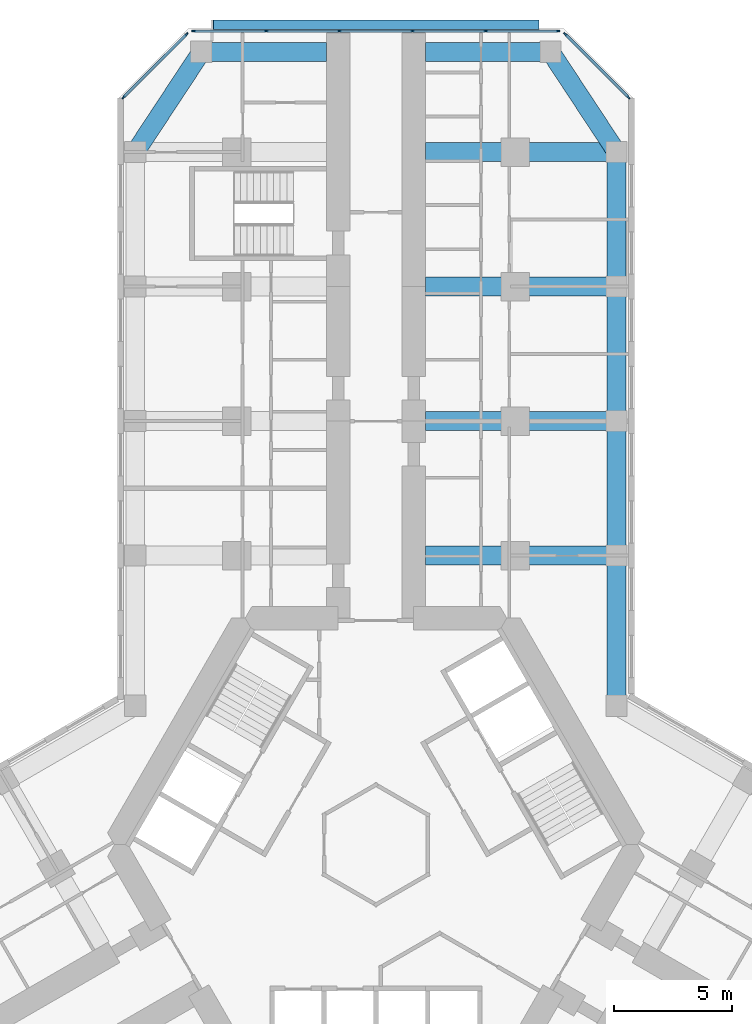
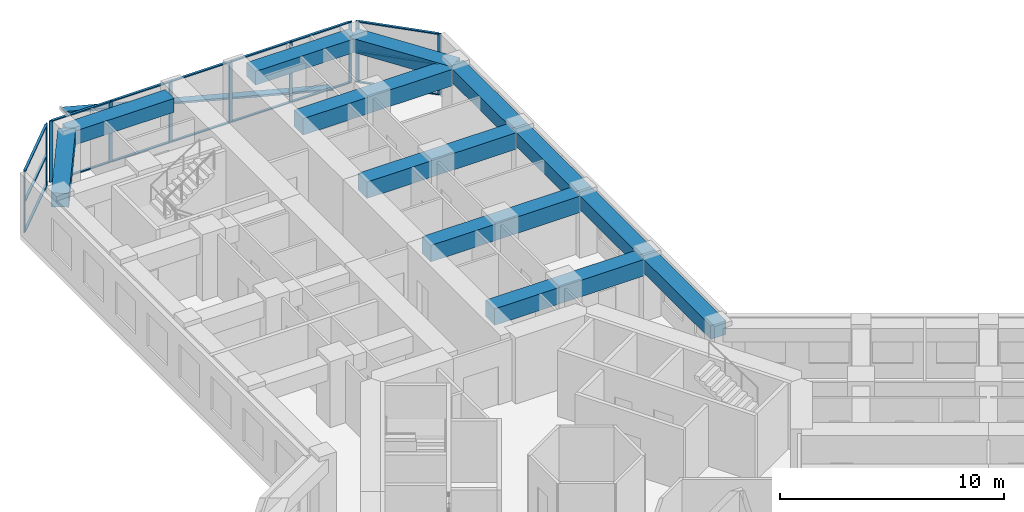
# One storey, part 7 of 21: 27 members, 12 beams, 3 elements without a shape of their own.
"""IFC4 building model written with IfcOpenShell, lengths in metres."""

import ifcopenshell
import ifcopenshell.guid

model = None  # the IFC model being written
_history = None  # IfcOwnerHistory: only IFC2X3 demands one
_inside = {}  # id of a spatial element -> (the spatial element, [elements in it])
_under = {}  # id of a project, library or spatial element -> (it, [spatial elements below it])
_declared = {}  # id of a project -> (the project, [libraries it declares])
_typed = {}  # id of a type object -> (the type object, [elements of that type])
_made_of = {}  # id of a material, layer set ... -> (it, [elements and type objects made of it])


def new_model(schema):
    """Start an empty IFC model of exactly this schema.

    Asked for "IFC4X3", IfcOpenShell would pick the latest addendum, in which some entities
    have other attributes; the version numbers below select the first issue.
    IFC2X3 requires an IfcOwnerHistory on every rooted entity: one is made here for all.
    """
    global model, _history
    if schema == "IFC4X3":
        model = ifcopenshell.file(schema_version=(4, 3, 0, 0))
    else:
        model = ifcopenshell.file(schema=schema)
    _inside.clear()
    _under.clear()
    _declared.clear()
    _typed.clear()
    _made_of.clear()
    _history = None
    if model.schema == "IFC2X3":
        org = make("IfcOrganization", Name="unknown")
        user = make(
            "IfcPersonAndOrganization",
            ThePerson=make("IfcPerson", FamilyName="unknown"),
            TheOrganization=org,
        )
        app = make(
            "IfcApplication",
            ApplicationDeveloper=org,
            Version="unknown",
            ApplicationFullName="unknown",
            ApplicationIdentifier="unknown",
        )
        _history = make(
            "IfcOwnerHistory",
            OwningUser=user,
            OwningApplication=app,
            ChangeAction="ADDED",
            CreationDate=0,
        )
    return model


def make(cls, **values):
    """One entity of the class cls with the attributes given. An attribute that is None is left unset."""
    return model.create_entity(
        cls, **{name: value for name, value in values.items() if value is not None}
    )


def rooted(cls, **values):
    """An entity with a GlobalId (a new one), such as an element, a storey or a relation."""
    return make(cls, GlobalId=ifcopenshell.guid.new(), OwnerHistory=_history, **values)


def si_unit(unit_type, name, prefix=None):
    """IfcSIUnit, for example si_unit("LENGTHUNIT", "METRE", prefix="MILLI")."""
    return make("IfcSIUnit", UnitType=unit_type, Prefix=prefix, Name=name)


def assignment(units):
    """IfcUnitAssignment: the units of a project."""
    return None if units is None else make("IfcUnitAssignment", Units=units)


def point(xyz):
    """IfcCartesianPoint."""
    return None if xyz is None else make("IfcCartesianPoint", Coordinates=xyz)


def direction(xyz):
    """IfcDirection."""
    return None if xyz is None else make("IfcDirection", DirectionRatios=xyz)


def frame(location, z_axis=None, x_axis=None):
    """IfcAxis2Placement3D, a coordinate frame: its origin and axes. An axis left out is left unset."""
    return make(
        "IfcAxis2Placement3D",
        Location=point(location),
        Axis=direction(z_axis),
        RefDirection=direction(x_axis),
    )


def frame_2d(location, x_axis=None):
    """IfcAxis2Placement2D, a coordinate frame in the plane: its origin and x axis."""
    return make(
        "IfcAxis2Placement2D", Location=point(location), RefDirection=direction(x_axis)
    )


def origin():
    """The frame at (0, 0, 0) with its axes left unset."""
    return frame((0.0, 0.0, 0.0))


def origin_2d():
    """The frame at (0, 0) in the plane with its x axis left unset."""
    return frame_2d((0.0, 0.0))


def place(relative_to, where):
    """IfcLocalPlacement: puts the frame where relative to a parent placement (None: the world)."""
    return make(
        "IfcLocalPlacement", PlacementRelTo=relative_to, RelativePlacement=where
    )


def context(
    kind, dimensions, precision=None, world=None, true_north=None, identifier=None
):
    """IfcGeometricRepresentationContext, for example the 3D "Model" context."""
    return make(
        "IfcGeometricRepresentationContext",
        ContextIdentifier=identifier,
        ContextType=kind,
        CoordinateSpaceDimension=dimensions,
        Precision=precision,
        WorldCoordinateSystem=world,
        TrueNorth=true_north,
    )


def subcontext(parent, identifier, kind, view, scale=None):
    """IfcGeometricRepresentationSubContext, for example "Body" below "Model"."""
    return make(
        "IfcGeometricRepresentationSubContext",
        ContextIdentifier=identifier,
        ContextType=kind,
        ParentContext=parent,
        TargetScale=scale,
        TargetView=view,
    )


def project(units=None, contexts=None):
    """IfcProject with its units and contexts."""
    return rooted(
        "IfcProject",
        Name="project",
        RepresentationContexts=contexts,
        UnitsInContext=assignment(units),
    )


def spatial(cls, under=None, at=None, **own):
    """A site, building, storey or space (cls), placed at a placement, below another one or the project."""
    s = rooted(cls, ObjectPlacement=at, **own)
    if under is not None:
        _under.setdefault(under.id(), (under, []))[1].append(s)
    return s


def profile(cls, at=None, kind="AREA", **sizes):
    """A parametric profile (cls). Its sizes go by their IFC names, for example OverallWidth=200.0."""
    return make(cls, ProfileType=kind, Position=at, **sizes)


def rectangle(**sizes):
    """IfcRectangleProfileDef."""
    return profile("IfcRectangleProfileDef", **sizes)


def extrude(swept, where, along, depth):
    """IfcExtrudedAreaSolid: the profile swept, set in the frame where, extruded along a direction by depth."""
    return make(
        "IfcExtrudedAreaSolid",
        SweptArea=swept,
        Position=where,
        ExtrudedDirection=direction(along),
        Depth=depth,
    )


def shape(context_of_items, identifier, shape_type, items):
    """IfcShapeRepresentation: the items that make up one representation, for example the "Body"."""
    return make(
        "IfcShapeRepresentation",
        ContextOfItems=context_of_items,
        RepresentationIdentifier=identifier,
        RepresentationType=shape_type,
        Items=items,
    )


def material(Name=None, Category=None):
    """IfcMaterial."""
    return make("IfcMaterial", Name=Name, Category=Category)


def material_profile(
    of_material, cross_section, Name=None, Category=None, Priority=None
):
    """IfcMaterialProfile: a cross section and its material."""
    return make(
        "IfcMaterialProfile",
        Name=Name,
        Material=of_material,
        Profile=cross_section,
        Priority=Priority,
        Category=Category,
    )


def profile_set(profiles, Name=None, composite=None):
    """IfcMaterialProfileSet."""
    return make(
        "IfcMaterialProfileSet",
        Name=Name,
        MaterialProfiles=profiles,
        CompositeProfile=composite,
    )


def made_of(thing, what):
    """Note that an element or type object is made of a material, layer set ...; save() writes the relation."""
    if what is not None:
        _made_of.setdefault(what.id(), (what, []))[1].append(thing)
    return thing


def type_object(cls, material=None, **own):
    """A type object (cls), such as IfcWallType, which elements share."""
    return made_of(rooted(cls, **own), material)


def element(
    cls,
    number,
    at=None,
    inside=None,
    cuts=None,
    type_object=None,
    material=None,
    context=None,
    identifier="Body",
    shape_type=None,
    held_by="IfcProductDefinitionShape",
    body=None,
    shapes=None,
    **own,
):
    """One element of the class cls, such as IfcWall. Its Tag is "e" and its number.

    at: its placement. inside: the storey or other place that contains it. cuts: it is an
    opening in that element (IfcRelVoidsElement). A single representation is given by context,
    identifier, shape_type and body (its items); several are given by shapes. held_by: the class
    of the entity that holds the representations. save() writes the other relations.
    """
    e = rooted(cls, Tag="e%d" % number, ObjectPlacement=at, **own)
    if body is not None:
        shapes = [shape(context, identifier, shape_type, body)]
    if shapes is not None:
        e.Representation = make(held_by, Representations=shapes)
    if inside is not None:
        _inside.setdefault(inside.id(), (inside, []))[1].append(e)
    if cuts is not None:
        rooted(
            "IfcRelVoidsElement", RelatingBuildingElement=cuts, RelatedOpeningElement=e
        )
    if type_object is not None:
        _typed.setdefault(type_object.id(), (type_object, []))[1].append(e)
    return made_of(e, material)


def aggregate(whole, parts):
    """IfcRelAggregates: a whole, such as a stair, and the parts it consists of."""
    return rooted("IfcRelAggregates", RelatingObject=whole, RelatedObjects=parts)


def save(model, path):
    """Write the relations noted so far, then the file.

    IfcRelAggregates (storeys below a building ...), IfcRelContainedInSpatialStructure (elements
    in a storey), IfcRelDefinesByType, IfcRelAssociatesMaterial and IfcRelDeclares: one each for
    every whole, place, type object, material and project.
    """
    for whole, parts in _under.values():
        aggregate(whole, parts)
    for where, things in _inside.values():
        rooted(
            "IfcRelContainedInSpatialStructure",
            RelatedElements=things,
            RelatingStructure=where,
        )
    for kind, things in _typed.values():
        rooted("IfcRelDefinesByType", RelatedObjects=things, RelatingType=kind)
    for what, things in _made_of.values():
        rooted("IfcRelAssociatesMaterial", RelatedObjects=things, RelatingMaterial=what)
    for by, libraries in _declared.values():
        rooted("IfcRelDeclares", RelatingContext=by, RelatedDefinitions=libraries)
    model.write(path)


model = new_model("IFC4")

# Units and contexts
model_context = context("Model", 3, precision=1e-05, world=origin(), true_north=direction((0.0, 1.0)))
body_context = subcontext(model_context, "Body", "Model", "MODEL_VIEW")
ifc_project = project(units=[si_unit("LENGTHUNIT", "METRE"), si_unit("AREAUNIT", "SQUARE_METRE"), si_unit("VOLUMEUNIT", "CUBIC_METRE"), si_unit("PLANEANGLEUNIT", "RADIAN"), si_unit("MASSUNIT", "GRAM", prefix="KILO")], contexts=[model_context])

# Site, building, storey
site_placement = place(None, origin())
site = spatial("IfcSite", under=ifc_project, at=site_placement, CompositionType="ELEMENT")
building_placement = place(site_placement, origin())
building = spatial("IfcBuilding", under=site, at=building_placement, Name="Kosmar Iwan School Tower", CompositionType="ELEMENT")
storey_placement = place(building_placement, frame((0.0, 0.0, 98.800048828125)))
storey = spatial("IfcBuildingStorey", under=building, at=storey_placement, Name="L24", CompositionType="ELEMENT", Elevation=98.800048828125)

# Member
ifc_material_1 = material(Name="Black anodised aluminium", Category="aluminium")
ifc_material_profile_1 = material_profile(ifc_material_1, rectangle(XDim=0.10009765625, YDim=0.39990234375, at=origin_2d()), Name="FIN 100x400")
ifc_profile_set_1 = profile_set([ifc_material_profile_1], Name="Black anodised aluminium")
member_type_1 = type_object("IfcMemberType", Name="Diagonal fin 100x400", PredefinedType="USERDEFINED", material=ifc_profile_set_1)
member_1_placement = place(storey_placement, frame((6.898193359375, 34.75, -0.150146484375), z_axis=(-0.967599450335, 0.0, 0.252490205179), x_axis=(0.252490205179, 0.0, 0.967599450335)))
element("IfcMember", 1, at=member_1_placement, inside=storey, type_object=member_type_1, Name="Diagonal fin L24-F08", ObjectType="FIN", PredefinedType="USERDEFINED", context=body_context, shape_type="SweptSolid", body=[
    extrude(rectangle(XDim=0.10009765625, YDim=0.39990234375, at=origin_2d()), origin(), (0.0, 0.0, 1.0), 14.25830078125),
])

# Curtain wall, members
ifc_material_2 = material(Name="Dark glass in black aluminium frame", Category="aluminium")
curtain_wall_type_1 = type_object("IfcCurtainWallType", Name="Chamfer curtain wall dark glass", PredefinedType="USERDEFINED", material=ifc_material_2)
curtain_wall_1_placement = place(storey_placement, origin())
curtain_wall_1 = element("IfcCurtainWall", 2, at=curtain_wall_1_placement, inside=storey, type_object=curtain_wall_type_1, Name="Curtain wall L24-F07", ObjectType="FACETED CURTAIN WALL", PredefinedType="USERDEFINED")
ifc_material_3 = material(Name="Black anodised aluminium", Category="aluminium")
ifc_material_profile_2 = material_profile(ifc_material_3, rectangle(XDim=0.06005859375, YDim=0.159912109375, at=origin_2d()), Name="MULLION 60x160")
ifc_profile_set_2 = profile_set([ifc_material_profile_2], Name="Black anodised aluminium")
member_type_2 = type_object("IfcMemberType", Name="Mullion 60x160", PredefinedType="MULLION", material=ifc_profile_set_2)
member_2_placement = place(storey_placement, frame((10.69775390625, 31.675537109375, 0.0), z_axis=(0.0, 0.0, 1.0), x_axis=(-0.707106781187, -0.707106781187, 0.0)))
member_2 = element("IfcMember", 3, at=member_2_placement, type_object=member_type_2, Name="CW2 mullion 1", PredefinedType="MULLION", context=body_context, shape_type="SweptSolid", body=[
    extrude(rectangle(XDim=0.06005859375, YDim=0.159912109375, at=origin_2d()), origin(), (0.0, 0.0, 1.0), 3.349853515625),
])
member_3_placement = place(storey_placement, frame((8.025390625, 34.34765625, 0.0), z_axis=(0.0, 0.0, 1.0), x_axis=(-0.707106781187, -0.707106781187, 0.0)))
member_3 = element("IfcMember", 4, at=member_3_placement, type_object=member_type_2, Name="CW2 mullion 2", PredefinedType="MULLION", context=body_context, shape_type="SweptSolid", body=[
    extrude(rectangle(XDim=0.06005859375, YDim=0.159912109375, at=origin_2d()), origin(), (0.0, 0.0, 1.0), 3.349853515625),
])

ifc_material_4 = material(Name="Dark glass in black aluminium frame", Category="aluminium")
curtain_wall_type_2 = type_object("IfcCurtainWallType", Name="Tower curtain wall dark glass", PredefinedType="USERDEFINED", material=ifc_material_4)
curtain_wall_2_placement = place(storey_placement, origin())
curtain_wall_2 = element("IfcCurtainWall", 5, at=curtain_wall_2_placement, inside=storey, type_object=curtain_wall_type_2, Name="Curtain wall L24-F08", ObjectType="UNITISED CURTAIN WALL", PredefinedType="USERDEFINED")
member_4_placement = place(storey_placement, frame((7.71826171875, 34.47509765625, 0.0), z_axis=(0.0, 0.0, 1.0), x_axis=(0.0, -1.0, 0.0)))
member_4 = element("IfcMember", 6, at=member_4_placement, type_object=member_type_2, Name="CW1 mullion 1", PredefinedType="MULLION", context=body_context, shape_type="SweptSolid", body=[
    extrude(rectangle(XDim=0.06005859375, YDim=0.159912109375, at=origin_2d()), origin(), (0.0, 0.0, 1.0), 3.349853515625),
])
member_5_placement = place(storey_placement, frame((4.64892578125, 34.47509765625, 0.0), z_axis=(0.0, 0.0, 1.0), x_axis=(0.0, -1.0, 0.0)))
member_5 = element("IfcMember", 7, at=member_5_placement, type_object=member_type_2, Name="CW1 mullion 2", PredefinedType="MULLION", context=body_context, shape_type="SweptSolid", body=[
    extrude(rectangle(XDim=0.06005859375, YDim=0.159912109375, at=origin_2d()), origin(), (0.0, 0.0, 1.0), 3.349853515625),
])
member_6_placement = place(storey_placement, frame((1.549560546875, 34.47509765625, 0.0), z_axis=(0.0, 0.0, 1.0), x_axis=(0.0, -1.0, 0.0)))
member_6 = element("IfcMember", 8, at=member_6_placement, type_object=member_type_2, Name="CW1 mullion 3", PredefinedType="MULLION", context=body_context, shape_type="SweptSolid", body=[
    extrude(rectangle(XDim=0.06005859375, YDim=0.159912109375, at=origin_2d()), origin(), (0.0, 0.0, 1.0), 3.349853515625),
])
member_7_placement = place(storey_placement, frame((-1.549560546875, 34.47509765625, 0.0), z_axis=(0.0, 0.0, 1.0), x_axis=(0.0, -1.0, 0.0)))
member_7 = element("IfcMember", 9, at=member_7_placement, type_object=member_type_2, Name="CW1 mullion 4", PredefinedType="MULLION", context=body_context, shape_type="SweptSolid", body=[
    extrude(rectangle(XDim=0.06005859375, YDim=0.159912109375, at=origin_2d()), origin(), (0.0, 0.0, 1.0), 3.349853515625),
])
member_8_placement = place(storey_placement, frame((-4.64892578125, 34.47509765625, 0.0), z_axis=(0.0, 0.0, 1.0), x_axis=(0.0, -1.0, 0.0)))
member_8 = element("IfcMember", 10, at=member_8_placement, type_object=member_type_2, Name="CW1 mullion 5", PredefinedType="MULLION", context=body_context, shape_type="SweptSolid", body=[
    extrude(rectangle(XDim=0.06005859375, YDim=0.159912109375, at=origin_2d()), origin(), (0.0, 0.0, 1.0), 3.349853515625),
])
member_9_placement = place(storey_placement, frame((-7.71826171875, 34.47509765625, 0.0), z_axis=(0.0, 0.0, 1.0), x_axis=(0.0, -1.0, 0.0)))
member_9 = element("IfcMember", 11, at=member_9_placement, type_object=member_type_2, Name="CW1 mullion 6", PredefinedType="MULLION", context=body_context, shape_type="SweptSolid", body=[
    extrude(rectangle(XDim=0.06005859375, YDim=0.159912109375, at=origin_2d()), origin(), (0.0, 0.0, 1.0), 3.349853515625),
])

curtain_wall_3_placement = place(storey_placement, origin())
curtain_wall_3 = element("IfcCurtainWall", 12, at=curtain_wall_3_placement, inside=storey, type_object=curtain_wall_type_1, Name="Curtain wall L24-F09", ObjectType="FACETED CURTAIN WALL", PredefinedType="USERDEFINED")
member_10_placement = place(storey_placement, frame((-8.025390625, 34.34765625, 0.0), z_axis=(0.0, 0.0, 1.0), x_axis=(0.707106781187, -0.707106781187, 0.0)))
member_10 = element("IfcMember", 13, at=member_10_placement, type_object=member_type_2, Name="CW2 mullion 1", PredefinedType="MULLION", context=body_context, shape_type="SweptSolid", body=[
    extrude(rectangle(XDim=0.06005859375, YDim=0.159912109375, at=origin_2d()), origin(), (0.0, 0.0, 1.0), 3.349853515625),
])
member_11_placement = place(storey_placement, frame((-10.69775390625, 31.675537109375, 0.0), z_axis=(0.0, 0.0, 1.0), x_axis=(0.707106781187, -0.707106781187, 0.0)))
member_11 = element("IfcMember", 14, at=member_11_placement, type_object=member_type_2, Name="CW2 mullion 2", PredefinedType="MULLION", context=body_context, shape_type="SweptSolid", body=[
    extrude(rectangle(XDim=0.06005859375, YDim=0.159912109375, at=origin_2d()), origin(), (0.0, 0.0, 1.0), 3.349853515625),
])

# Beams
ifc_material_5 = material(Name="Concrete C50/60", Category="concrete")
ifc_material_profile_3 = material_profile(ifc_material_5, rectangle(XDim=0.800048828125, YDim=0.75, at=origin_2d()), Name="RC 800x750")
ifc_profile_set_3 = profile_set([ifc_material_profile_3], Name="Concrete C50/60")
beam_type_1 = type_object("IfcBeamType", Name="RC edge beam 800x750", PredefinedType="BEAM", material=ifc_profile_set_3)
beam_1_placement = place(storey_placement, frame((10.199951171875, 5.888916015625, 2.974853515625), z_axis=(0.0, 1.0, 0.0), x_axis=(-1.0, 0.0, 0.0)))
element("IfcBeam", 15, at=beam_1_placement, inside=storey, type_object=beam_type_1, Name="Edge beam AR1", PredefinedType="BEAM", context=body_context, shape_type="SweptSolid", body=[
    extrude(rectangle(XDim=0.800048828125, YDim=0.75, at=origin_2d()), origin(), (0.0, 0.0, 1.0), 6.361083984375),
])
for number, where, z_axis, x_axis, name in (
    (16, (10.199951171875, 12.25, 2.974853515625), (0.0, 1.0, 0.0), (-1.0, 0.0, 0.0), "Edge beam AR2"),
    (17, (10.199951171875, 17.949951171875, 2.974853515625), (0.0, 1.0, 0.0), (-1.0, 0.0, 0.0), "Edge beam AR3"),
):
    element("IfcBeam", number, at=place(storey_placement, frame(where, z_axis=z_axis, x_axis=x_axis)), inside=storey, type_object=beam_type_1, Name=name, PredefinedType="BEAM", context=body_context, shape_type="SweptSolid", body=[
        extrude(rectangle(XDim=0.800048828125, YDim=0.75, at=origin_2d()), origin(), (0.0, 0.0, 1.0), 5.699951171875),
    ])
beam_2_placement = place(storey_placement, frame((10.199951171875, 23.64990234375, 2.974853515625), z_axis=(0.0, 1.0, 0.0), x_axis=(-1.0, 0.0, 0.0)))
element("IfcBeam", 18, at=beam_2_placement, inside=storey, type_object=beam_type_1, Name="Edge beam AR4", PredefinedType="BEAM", context=body_context, shape_type="SweptSolid", body=[
    extrude(rectangle(XDim=0.800048828125, YDim=0.75, at=origin_2d()), origin(), (0.0, 0.0, 1.0), 5.7001953125),
])
ifc_material_6 = material(Name="Concrete C50/60", Category="concrete")
ifc_material_profile_4 = material_profile(ifc_material_6, rectangle(XDim=0.800048828125, YDim=0.75, at=origin_2d()), Name="RC 800x750")
ifc_profile_set_4 = profile_set([ifc_material_profile_4], Name="Concrete C50/60")
beam_type_2 = type_object("IfcBeamType", Name="RC tip beam 800x750", PredefinedType="BEAM", material=ifc_profile_set_4)
beam_3_placement = place(storey_placement, frame((-10.199951171875, 29.35009765625, 2.974853515625), z_axis=(0.550164383043, 0.835056376319, 0.0), x_axis=(-0.835056376319, 0.550164383043, 0.0)))
element("IfcBeam", 19, at=beam_3_placement, inside=storey, type_object=beam_type_2, Name="Tip beam AL", PredefinedType="BEAM", context=body_context, shape_type="SweptSolid", body=[
    extrude(rectangle(XDim=0.800048828125, YDim=0.75, at=origin_2d()), origin(), (0.0, 0.0, 1.0), 5.08935546875),
])
beam_4_placement = place(storey_placement, frame((-7.39990234375, 33.60009765625, 2.974853515625), z_axis=(1.0, 0.0, 0.0), x_axis=(0.0, 1.0, 0.0)))
element("IfcBeam", 20, at=beam_4_placement, inside=storey, type_object=beam_type_2, Name="Tip beam AL to corridor wall", PredefinedType="BEAM", context=body_context, shape_type="SweptSolid", body=[
    extrude(rectangle(XDim=0.800048828125, YDim=0.75, at=origin_2d()), origin(), (0.0, 0.0, 1.0), 5.2998046875),
])
beam_5_placement = place(storey_placement, frame((10.199951171875, 29.35009765625, 2.974853515625), z_axis=(-0.550164383043, 0.835056376319, 0.0), x_axis=(-0.835056376319, -0.550164383043, 0.0)))
element("IfcBeam", 21, at=beam_5_placement, inside=storey, type_object=beam_type_2, Name="Tip beam AR", PredefinedType="BEAM", context=body_context, shape_type="SweptSolid", body=[
    extrude(rectangle(XDim=0.800048828125, YDim=0.75, at=origin_2d()), origin(), (0.0, 0.0, 1.0), 5.08935546875),
])
beam_6_placement = place(storey_placement, frame((7.39990234375, 33.60009765625, 2.974853515625), z_axis=(-1.0, 0.0, 0.0), x_axis=(0.0, -1.0, 0.0)))
element("IfcBeam", 22, at=beam_6_placement, inside=storey, type_object=beam_type_2, Name="Tip beam AR to corridor wall", PredefinedType="BEAM", context=body_context, shape_type="SweptSolid", body=[
    extrude(rectangle(XDim=0.800048828125, YDim=0.75, at=origin_2d()), origin(), (0.0, 0.0, 1.0), 5.2998046875),
])
ifc_material_7 = material(Name="Concrete C50/60", Category="concrete")
ifc_material_profile_5 = material_profile(ifc_material_7, rectangle(XDim=0.800048828125, YDim=0.89990234375, at=origin_2d()), Name="RC 800x900")
ifc_profile_set_5 = profile_set([ifc_material_profile_5], Name="Concrete C50/60")
beam_type_3 = type_object("IfcBeamType", Name="RC transverse beam 800x900", PredefinedType="BEAM", material=ifc_profile_set_5)
for number, where, z_axis, x_axis, name in (
    (23, (10.199951171875, 12.25, 2.89990234375), (-1.0, 0.0, 0.0), (0.0, -1.0, 0.0), "Transverse beam AR1"),
    (24, (10.199951171875, 17.949951171875, 2.89990234375), (-1.0, 0.0, 0.0), (0.0, -1.0, 0.0), "Transverse beam AR2"),
    (25, (10.199951171875, 23.64990234375, 2.89990234375), (-1.0, 0.0, 0.0), (0.0, -1.0, 0.0), "Transverse beam AR3"),
    (26, (10.199951171875, 29.35009765625, 2.89990234375), (-1.0, 0.0, 0.0), (0.0, -1.0, 0.0), "Transverse beam AR4"),
):
    element("IfcBeam", number, at=place(storey_placement, frame(where, z_axis=z_axis, x_axis=x_axis)), inside=storey, type_object=beam_type_3, Name=name, PredefinedType="BEAM", context=body_context, shape_type="SweptSolid", body=[
        extrude(rectangle(XDim=0.800048828125, YDim=0.89990234375, at=origin_2d()), origin(), (0.0, 0.0, 1.0), 8.099853515625),
    ])

# Member
ifc_material_8 = material(Name="Black anodised aluminium", Category="aluminium")
ifc_material_profile_6 = material_profile(ifc_material_8, rectangle(XDim=0.1201171875, YDim=0.06005859375, at=origin_2d()), Name="TRANSOM 60x120")
ifc_profile_set_6 = profile_set([ifc_material_profile_6], Name="Black anodised aluminium")
member_type_3 = type_object("IfcMemberType", Name="Transom 60x120", PredefinedType="USERDEFINED", material=ifc_profile_set_6)
member_12_placement = place(storey_placement, frame((10.676513671875, 31.69677734375, 0.030029296875), z_axis=(-0.707139603466, 0.707073957383, 0.0), x_axis=(-0.707073957383, -0.707139603466, 0.0)))
member_12 = element("IfcMember", 27, at=member_12_placement, type_object=member_type_3, Name="CW2 transom 1.1", ObjectType="TRANSOM", PredefinedType="USERDEFINED", context=body_context, shape_type="SweptSolid", body=[
    extrude(rectangle(XDim=0.1201171875, YDim=0.06005859375, at=origin_2d()), origin(), (0.0, 0.0, 1.0), 3.718994140625),
])

member_13_placement = place(storey_placement, frame((10.676513671875, 31.69677734375, 1.675048828125), z_axis=(-0.707139603466, 0.707073957383, 0.0), x_axis=(-0.707073957383, -0.707139603466, 0.0)))
member_13 = element("IfcMember", 28, at=member_13_placement, type_object=member_type_3, Name="CW2 transom 1.2", ObjectType="TRANSOM", PredefinedType="USERDEFINED", context=body_context, shape_type="SweptSolid", body=[
    extrude(rectangle(XDim=0.1201171875, YDim=0.06005859375, at=origin_2d()), origin(), (0.0, 0.0, 1.0), 3.718994140625),
])

member_14_placement = place(storey_placement, frame((10.676513671875, 31.69677734375, 3.320068359375), z_axis=(-0.707139603466, 0.707073957383, 0.0), x_axis=(-0.707073957383, -0.707139603466, 0.0)))
member_14 = element("IfcMember", 29, at=member_14_placement, type_object=member_type_3, Name="CW2 transom 1.3", ObjectType="TRANSOM", PredefinedType="USERDEFINED", context=body_context, shape_type="SweptSolid", body=[
    extrude(rectangle(XDim=0.1201171875, YDim=0.06005859375, at=origin_2d()), origin(), (0.0, 0.0, 1.0), 3.718994140625),
])

aggregate(curtain_wall_1, [member_2, member_3, member_12, member_13, member_14])

member_15_placement = place(storey_placement, frame((7.688232421875, 34.47509765625, 0.030029296875), z_axis=(-1.0, 0.0, 0.0), x_axis=(0.0, -1.0, 0.0)))
member_15 = element("IfcMember", 30, at=member_15_placement, type_object=member_type_3, Name="CW1 transom 1.1", ObjectType="TRANSOM", PredefinedType="USERDEFINED", context=body_context, shape_type="SweptSolid", body=[
    extrude(rectangle(XDim=0.1201171875, YDim=0.06005859375, at=origin_2d()), origin(), (0.0, 0.0, 1.0), 3.00927734375),
])

member_16_placement = place(storey_placement, frame((7.688232421875, 34.47509765625, 3.320068359375), z_axis=(-1.0, 0.0, 0.0), x_axis=(0.0, -1.0, 0.0)))
member_16 = element("IfcMember", 31, at=member_16_placement, type_object=member_type_3, Name="CW1 transom 1.2", ObjectType="TRANSOM", PredefinedType="USERDEFINED", context=body_context, shape_type="SweptSolid", body=[
    extrude(rectangle(XDim=0.1201171875, YDim=0.06005859375, at=origin_2d()), origin(), (0.0, 0.0, 1.0), 3.00927734375),
])

member_17_placement = place(storey_placement, frame((4.618896484375, 34.47509765625, 0.030029296875), z_axis=(-1.0, 0.0, 0.0), x_axis=(0.0, -1.0, 0.0)))
member_17 = element("IfcMember", 32, at=member_17_placement, type_object=member_type_3, Name="CW1 transom 2.1", ObjectType="TRANSOM", PredefinedType="USERDEFINED", context=body_context, shape_type="SweptSolid", body=[
    extrude(rectangle(XDim=0.1201171875, YDim=0.06005859375, at=origin_2d()), origin(), (0.0, 0.0, 1.0), 3.039306640625),
])

member_18_placement = place(storey_placement, frame((4.618896484375, 34.47509765625, 3.320068359375), z_axis=(-1.0, 0.0, 0.0), x_axis=(0.0, -1.0, 0.0)))
member_18 = element("IfcMember", 33, at=member_18_placement, type_object=member_type_3, Name="CW1 transom 2.2", ObjectType="TRANSOM", PredefinedType="USERDEFINED", context=body_context, shape_type="SweptSolid", body=[
    extrude(rectangle(XDim=0.1201171875, YDim=0.06005859375, at=origin_2d()), origin(), (0.0, 0.0, 1.0), 3.039306640625),
])

member_19_placement = place(storey_placement, frame((1.51953125, 34.47509765625, 0.030029296875), z_axis=(-1.0, 0.0, 0.0), x_axis=(0.0, -1.0, 0.0)))
member_19 = element("IfcMember", 34, at=member_19_placement, type_object=member_type_3, Name="CW1 transom 3.1", ObjectType="TRANSOM", PredefinedType="USERDEFINED", context=body_context, shape_type="SweptSolid", body=[
    extrude(rectangle(XDim=0.1201171875, YDim=0.06005859375, at=origin_2d()), origin(), (0.0, 0.0, 1.0), 3.0390625),
])

member_20_placement = place(storey_placement, frame((1.51953125, 34.47509765625, 3.320068359375), z_axis=(-1.0, 0.0, 0.0), x_axis=(0.0, -1.0, 0.0)))
member_20 = element("IfcMember", 35, at=member_20_placement, type_object=member_type_3, Name="CW1 transom 3.2", ObjectType="TRANSOM", PredefinedType="USERDEFINED", context=body_context, shape_type="SweptSolid", body=[
    extrude(rectangle(XDim=0.1201171875, YDim=0.06005859375, at=origin_2d()), origin(), (0.0, 0.0, 1.0), 3.0390625),
])

member_21_placement = place(storey_placement, frame((-1.57958984375, 34.47509765625, 0.030029296875), z_axis=(-1.0, 0.0, 0.0), x_axis=(0.0, -1.0, 0.0)))
member_21 = element("IfcMember", 36, at=member_21_placement, type_object=member_type_3, Name="CW1 transom 4.1", ObjectType="TRANSOM", PredefinedType="USERDEFINED", context=body_context, shape_type="SweptSolid", body=[
    extrude(rectangle(XDim=0.1201171875, YDim=0.06005859375, at=origin_2d()), origin(), (0.0, 0.0, 1.0), 3.039306640625),
])

member_22_placement = place(storey_placement, frame((-1.57958984375, 34.47509765625, 3.320068359375), z_axis=(-1.0, 0.0, 0.0), x_axis=(0.0, -1.0, 0.0)))
member_22 = element("IfcMember", 37, at=member_22_placement, type_object=member_type_3, Name="CW1 transom 4.2", ObjectType="TRANSOM", PredefinedType="USERDEFINED", context=body_context, shape_type="SweptSolid", body=[
    extrude(rectangle(XDim=0.1201171875, YDim=0.06005859375, at=origin_2d()), origin(), (0.0, 0.0, 1.0), 3.039306640625),
])

member_23_placement = place(storey_placement, frame((-4.678955078125, 34.47509765625, 0.030029296875), z_axis=(-1.0, 0.0, 0.0), x_axis=(0.0, -1.0, 0.0)))
member_23 = element("IfcMember", 38, at=member_23_placement, type_object=member_type_3, Name="CW1 transom 5.1", ObjectType="TRANSOM", PredefinedType="USERDEFINED", context=body_context, shape_type="SweptSolid", body=[
    extrude(rectangle(XDim=0.1201171875, YDim=0.06005859375, at=origin_2d()), origin(), (0.0, 0.0, 1.0), 3.00927734375),
])

member_24_placement = place(storey_placement, frame((-4.678955078125, 34.47509765625, 3.320068359375), z_axis=(-1.0, 0.0, 0.0), x_axis=(0.0, -1.0, 0.0)))
member_24 = element("IfcMember", 39, at=member_24_placement, type_object=member_type_3, Name="CW1 transom 5.2", ObjectType="TRANSOM", PredefinedType="USERDEFINED", context=body_context, shape_type="SweptSolid", body=[
    extrude(rectangle(XDim=0.1201171875, YDim=0.06005859375, at=origin_2d()), origin(), (0.0, 0.0, 1.0), 3.00927734375),
])

aggregate(curtain_wall_2, [member_4, member_5, member_6, member_7, member_8, member_9, member_15, member_16, member_17, member_18, member_19, member_20, member_21, member_22, member_23, member_24])

member_25_placement = place(storey_placement, frame((-8.046630859375, 34.326416015625, 0.030029296875), z_axis=(-0.707139603466, -0.707073957383, 0.0), x_axis=(0.707073957383, -0.707139603466, 0.0)))
member_25 = element("IfcMember", 40, at=member_25_placement, type_object=member_type_3, Name="CW2 transom 1.1", ObjectType="TRANSOM", PredefinedType="USERDEFINED", context=body_context, shape_type="SweptSolid", body=[
    extrude(rectangle(XDim=0.1201171875, YDim=0.06005859375, at=origin_2d()), origin(), (0.0, 0.0, 1.0), 3.718994140625),
])

member_26_placement = place(storey_placement, frame((-8.046630859375, 34.326416015625, 1.675048828125), z_axis=(-0.707139603466, -0.707073957383, 0.0), x_axis=(0.707073957383, -0.707139603466, 0.0)))
member_26 = element("IfcMember", 41, at=member_26_placement, type_object=member_type_3, Name="CW2 transom 1.2", ObjectType="TRANSOM", PredefinedType="USERDEFINED", context=body_context, shape_type="SweptSolid", body=[
    extrude(rectangle(XDim=0.1201171875, YDim=0.06005859375, at=origin_2d()), origin(), (0.0, 0.0, 1.0), 3.718994140625),
])

member_27_placement = place(storey_placement, frame((-8.046630859375, 34.326416015625, 3.320068359375), z_axis=(-0.707139603466, -0.707073957383, 0.0), x_axis=(0.707073957383, -0.707139603466, 0.0)))
member_27 = element("IfcMember", 42, at=member_27_placement, type_object=member_type_3, Name="CW2 transom 1.3", ObjectType="TRANSOM", PredefinedType="USERDEFINED", context=body_context, shape_type="SweptSolid", body=[
    extrude(rectangle(XDim=0.1201171875, YDim=0.06005859375, at=origin_2d()), origin(), (0.0, 0.0, 1.0), 3.718994140625),
])

aggregate(curtain_wall_3, [member_10, member_11, member_25, member_26, member_27])

save(model, "model.ifc")
